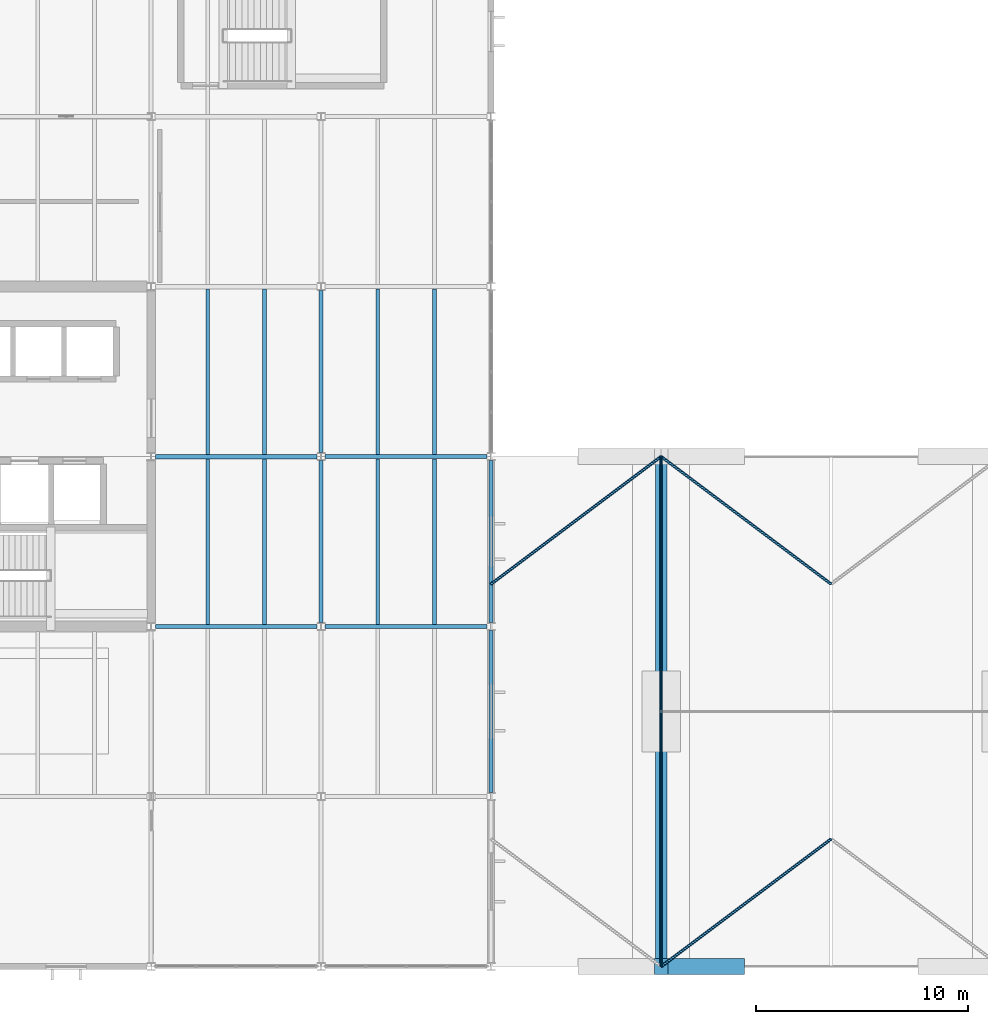
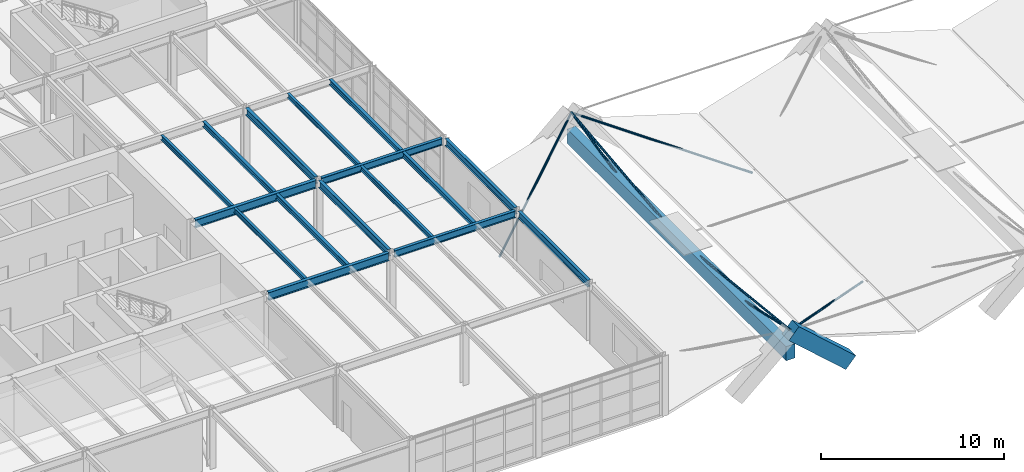
# One storey, part 14 of 50: 17 beams, 8 members.
"""IFC4 building model written with IfcOpenShell, lengths in metres."""

from ifc_helpers import new_model, si_unit, direction, frame, origin, origin_2d, place, context, subcontext, project, spatial, rectangle, hollow_circle, i_section, extrude, material, material_profile, profile_set, type_object, element, save


model = new_model("IFC4")

# Units and contexts
model_context = context("Model", 3, precision=1e-05, world=origin(), true_north=direction((0.0, 1.0)))
body_context = subcontext(model_context, "Body", "Model", "MODEL_VIEW")
ifc_project = project(units=[si_unit("LENGTHUNIT", "METRE"), si_unit("AREAUNIT", "SQUARE_METRE"), si_unit("VOLUMEUNIT", "CUBIC_METRE"), si_unit("PLANEANGLEUNIT", "RADIAN"), si_unit("MASSUNIT", "GRAM", prefix="KILO")], contexts=[model_context])

# Site, building, storey
site_placement = place(None, origin())
site = spatial("IfcSite", under=ifc_project, at=site_placement, CompositionType="ELEMENT")
building_placement = place(site_placement, origin())
building = spatial("IfcBuilding", under=site, at=building_placement, Name="Varnela Railside Interchange", CompositionType="ELEMENT")
storey_placement = place(building_placement, frame((0.0, 0.0, 15.39990234375)))
storey = spatial("IfcBuildingStorey", under=building, at=storey_placement, Name="L03", CompositionType="ELEMENT", Elevation=15.39990234375)

# Beams
ifc_material_1 = material(Name="Concrete C40", Category="concrete")
ifc_material_profile_1 = material_profile(ifc_material_1, rectangle(XDim=0.550048828125, YDim=0.949951171875, at=origin_2d()), Name="RC 550x950")
ifc_profile_set_1 = profile_set([ifc_material_profile_1], Name="Concrete C40")
beam_type_1 = type_object("IfcBeamType", Name="Canopy Ridge Girder B-04", PredefinedType="BEAM", material=ifc_profile_set_1)
beam_placement = place(storey_placement, frame((60.0, 38.0, 1.320068359375), z_axis=(0.0, 1.0, 0.0), x_axis=(-1.0, 0.0, 0.0)))
element("IfcBeam", 1, at=beam_placement, inside=storey, type_object=beam_type_1, Name="Canopy Ridge Girder B-04 (L03) (BM-2342)", PredefinedType="BEAM", context=body_context, shape_type="SweptSolid", body=[
    extrude(rectangle(XDim=0.550048828125, YDim=0.949951171875, at=origin_2d()), origin(), (0.0, 0.0, 1.0), 24.0),
])
ifc_material_2 = material(Name="Steel AR 350 (350 MPa)", Category="steel")
ifc_material_profile_2 = material_profile(ifc_material_2, i_section(OverallWidth=0.1650390625, OverallDepth=0.31005859375, WebThickness=0.005859375, FlangeThickness=0.009765625, at=origin_2d()), Name="W310x38.7")
ifc_profile_set_2 = profile_set([ifc_material_profile_2], Name="Steel AR 350 (350 MPa)")
beam_type_2 = type_object("IfcBeamType", Name="Composite Floor Joist J-04", PredefinedType="JOIST", material=ifc_profile_set_2)
for number, where, z_axis, x_axis, name in (
    (2, (38.669921875, 54.1044921875, 3.84521484375), (0.0, 1.0, 0.0), (-1.0, 0.0, 0.0), "Composite Floor Joist J-04 (L03) (BM-2195)"),
    (3, (38.669921875, 62.1044921875, 3.84521484375), (0.0, 1.0, 0.0), (-1.0, 0.0, 0.0), "Composite Floor Joist J-04 (L03) (BM-2197)"),
    (4, (46.669921875, 54.1044921875, 3.84521484375), (0.0, 1.0, 0.0), (-1.0, 0.0, 0.0), "Composite Floor Joist J-04 (L03) (BM-2206)"),
    (5, (46.669921875, 62.1044921875, 3.84521484375), (0.0, 1.0, 0.0), (-1.0, 0.0, 0.0), "Composite Floor Joist J-04 (L03) (BM-2208)"),
):
    element("IfcBeam", number, at=place(storey_placement, frame(where, z_axis=z_axis, x_axis=x_axis)), inside=storey, type_object=beam_type_2, Name=name, PredefinedType="JOIST", context=body_context, shape_type="SweptSolid", body=[
        extrude(i_section(OverallWidth=0.1650390625, OverallDepth=0.31005859375, WebThickness=0.005859375, FlangeThickness=0.009765625, at=origin_2d()), origin(), (0.0, 0.0, 1.0), 7.791015625),
    ])
ifc_material_profile_3 = material_profile(ifc_material_2, i_section(OverallWidth=0.208984375, OverallDepth=0.532958984375, WebThickness=0.01025390625, FlangeThickness=0.015625, at=origin_2d()), Name="W530x92")
ifc_profile_set_3 = profile_set([ifc_material_profile_3], Name="Steel AR 350 (350 MPa)")
beam_type_3 = type_object("IfcBeamType", Name="Composite Girder B-18", PredefinedType="BEAM", material=ifc_profile_set_3)
for number, where, z_axis, x_axis, name in (
    (6, (36.197021484375, 54.0, 3.733642578125), (1.0, 0.0, 0.0), (0.0, 1.0, 0.0), "Composite Girder B-18 (L03) (BM-2234)"),
    (7, (36.197021484375, 62.0, 3.733642578125), (1.0, 0.0, 0.0), (0.0, 1.0, 0.0), "Composite Girder B-18 (L03) (BM-2240)"),
):
    element("IfcBeam", number, at=place(storey_placement, frame(where, z_axis=z_axis, x_axis=x_axis)), inside=storey, type_object=beam_type_3, Name=name, PredefinedType="BEAM", context=body_context, shape_type="SweptSolid", body=[
        extrude(i_section(OverallWidth=0.208984375, OverallDepth=0.532958984375, WebThickness=0.01025390625, FlangeThickness=0.015625, at=origin_2d()), origin(), (0.0, 0.0, 1.0), 7.616455078125),
    ])
ifc_material_profile_4 = material_profile(ifc_material_2, i_section(OverallWidth=0.202880859375, OverallDepth=0.346923828125, WebThickness=0.0078125, FlangeThickness=0.013427734375, at=origin_2d()), Name="W360x64")
ifc_profile_set_4 = profile_set([ifc_material_profile_4], Name="Steel AR 350 (350 MPa)")
beam_type_4 = type_object("IfcBeamType", Name="Composite Heavy Joist J-01", PredefinedType="JOIST", material=ifc_profile_set_4)
for number, where, z_axis, x_axis, name in (
    (8, (41.330078125, 54.1044921875, 3.82666015625), (0.0, 1.0, 0.0), (-1.0, 0.0, 0.0), "Composite Heavy Joist J-01 (L03) (BM-2196)"),
    (9, (41.330078125, 62.1044921875, 3.82666015625), (0.0, 1.0, 0.0), (-1.0, 0.0, 0.0), "Composite Heavy Joist J-01 (L03) (BM-2198)"),
    (10, (49.330078125, 54.1044921875, 3.82666015625), (0.0, 1.0, 0.0), (-1.0, 0.0, 0.0), "Composite Heavy Joist J-01 (L03) (BM-2207)"),
    (11, (49.330078125, 62.1044921875, 3.82666015625), (0.0, 1.0, 0.0), (-1.0, 0.0, 0.0), "Composite Heavy Joist J-01 (L03) (BM-2209)"),
):
    element("IfcBeam", number, at=place(storey_placement, frame(where, z_axis=z_axis, x_axis=x_axis)), inside=storey, type_object=beam_type_4, Name=name, PredefinedType="JOIST", context=body_context, shape_type="SweptSolid", body=[
        extrude(i_section(OverallWidth=0.202880859375, OverallDepth=0.346923828125, WebThickness=0.0078125, FlangeThickness=0.013427734375, at=origin_2d()), origin(), (0.0, 0.0, 1.0), 7.791015625),
    ])
ifc_material_profile_5 = material_profile(ifc_material_2, i_section(OverallWidth=0.194091796875, OverallDepth=0.468994140625, WebThickness=0.0126953125, FlangeThickness=0.0205078125, at=origin_2d()), Name="W460x106")
ifc_profile_set_5 = profile_set([ifc_material_profile_5], Name="Steel AR 350 (350 MPa)")
beam_type_5 = type_object("IfcBeamType", Name="Composite Primary Beam B-19", PredefinedType="BEAM", material=ifc_profile_set_5)
for number, where, z_axis, x_axis, name in (
    (12, (44.0, 54.18408203125, 3.765625), (0.0, 1.0, 0.0), (-1.0, 0.0, 0.0), "Composite Primary Beam B-19 (L03) (BM-2331)"),
    (13, (44.0, 62.18408203125, 3.765625), (0.0, 1.0, 0.0), (-1.0, 0.0, 0.0), "Composite Primary Beam B-19 (L03) (BM-2332)"),
):
    element("IfcBeam", number, at=place(storey_placement, frame(where, z_axis=z_axis, x_axis=x_axis)), inside=storey, type_object=beam_type_5, Name=name, PredefinedType="BEAM", context=body_context, shape_type="SweptSolid", body=[
        extrude(i_section(OverallWidth=0.194091796875, OverallDepth=0.468994140625, WebThickness=0.0126953125, FlangeThickness=0.0205078125, at=origin_2d()), origin(), (0.0, 0.0, 1.0), 7.6318359375),
    ])

# Members
ifc_material_profile_6 = material_profile(ifc_material_2, hollow_circle(Radius=0.06982421875, WallThickness=0.012451171875, at=origin_2d()), Name="CHS 139.7x12.5")
ifc_profile_set_6 = profile_set([ifc_material_profile_6], Name="Steel AR 350 (350 MPa)")
member_type_1 = type_object("IfcMemberType", Name="Concourse Roof Cable CB-01", PredefinedType="CHORD", material=ifc_profile_set_6)
member_1_placement = place(storey_placement, frame((60.0, 38.0, 2.800048828125), z_axis=(0.0, 0.994182662369, -0.107707167096), x_axis=(-1.0, 0.0, 0.0)))
element("IfcMember", 14, at=member_1_placement, inside=storey, type_object=member_type_1, Name="Concourse Roof Cable CB-01 (L03) (MB-0103)", PredefinedType="CHORD", context=body_context, shape_type="SweptSolid", body=[
    extrude(hollow_circle(Radius=0.06982421875, WallThickness=0.012451171875, at=origin_2d()), origin(), (0.0, 0.0, 1.0), 12.0703125),
])
member_2_placement = place(storey_placement, frame((60.0, 38.0, 2.800048828125), z_axis=(0.761940397697, 0.571455298273, -0.304771508564), x_axis=(-0.6, 0.8, 0.0)))
element("IfcMember", 15, at=member_2_placement, inside=storey, type_object=member_type_1, Name="Concourse Roof Cable CB-01 (L03) (MB-0105)", PredefinedType="CHORD", context=body_context, shape_type="SweptSolid", body=[
    extrude(hollow_circle(Radius=0.06982421875, WallThickness=0.012451171875, at=origin_2d()), origin(), (0.0, 0.0, 1.0), 10.49951171875),
])
member_3_placement = place(storey_placement, frame((60.0, 38.0, 2.800048828125), z_axis=(0.0, 0.977321494017, -0.211760943833), x_axis=(-1.0, 0.0, 0.0)))
element("IfcMember", 16, at=member_3_placement, inside=storey, type_object=member_type_1, Name="Concourse Roof Cable CB-01 (L03) (MB-0106)", PredefinedType="CHORD", context=body_context, shape_type="SweptSolid", body=[
    extrude(hollow_circle(Radius=0.06982421875, WallThickness=0.012451171875, at=origin_2d()), origin(), (0.0, 0.0, 1.0), 6.13916015625),
])
member_4_placement = place(storey_placement, frame((60.0, 62.0, 2.800048828125), z_axis=(0.0, -0.994182662369, -0.107707167096), x_axis=(1.0, 0.0, 0.0)))
element("IfcMember", 17, at=member_4_placement, inside=storey, type_object=member_type_1, Name="Concourse Roof Cable CB-01 (L03) (MB-0099)", PredefinedType="CHORD", context=body_context, shape_type="SweptSolid", body=[
    extrude(hollow_circle(Radius=0.06982421875, WallThickness=0.012451171875, at=origin_2d()), origin(), (0.0, 0.0, 1.0), 12.0703125),
])
for number, where, z_axis, x_axis, name in (
    (18, (60.0, 62.0, 2.800048828125), (-0.761940397697, -0.571455298273, -0.304771508564), (0.6, -0.8, 0.0), "Concourse Roof Cable CB-01 (L03) (MB-0100)"),
    (19, (60.0, 62.0, 2.800048828125), (0.761940397697, -0.571455298273, -0.304771508564), (0.6, 0.8, 0.0), "Concourse Roof Cable CB-01 (L03) (MB-0101)"),
):
    element("IfcMember", number, at=place(storey_placement, frame(where, z_axis=z_axis, x_axis=x_axis)), inside=storey, type_object=member_type_1, Name=name, PredefinedType="CHORD", context=body_context, shape_type="SweptSolid", body=[
        extrude(hollow_circle(Radius=0.06982421875, WallThickness=0.012451171875, at=origin_2d()), origin(), (0.0, 0.0, 1.0), 10.49951171875),
    ])
member_5_placement = place(storey_placement, frame((60.0, 62.0, 2.800048828125), z_axis=(0.0, -0.977321494017, -0.211760943833), x_axis=(1.0, 0.0, 0.0)))
element("IfcMember", 20, at=member_5_placement, inside=storey, type_object=member_type_1, Name="Concourse Roof Cable CB-01 (L03) (MB-0102)", PredefinedType="CHORD", context=body_context, shape_type="SweptSolid", body=[
    extrude(hollow_circle(Radius=0.06982421875, WallThickness=0.012451171875, at=origin_2d()), origin(), (0.0, 0.0, 1.0), 6.13916015625),
])
ifc_material_3 = material(Name="Concrete C50", Category="concrete")
ifc_material_profile_7 = material_profile(ifc_material_3, rectangle(XDim=0.75, YDim=0.949951171875, at=origin_2d()), Name="RC 750x950")
ifc_profile_set_7 = profile_set([ifc_material_profile_7], Name="Concrete C50")
member_type_2 = type_object("IfcMemberType", Name="Sculpted Concourse A-Frame Mast Strut MS-01", PredefinedType="STRUT", material=ifc_profile_set_7)
member_6_placement = place(storey_placement, frame((63.60009765625, 38.0, -0.39990234375), z_axis=(-0.747423301004, 0.0, 0.664348108386), x_axis=(0.0, -1.0, 0.0)))
element("IfcMember", 21, at=member_6_placement, inside=storey, type_object=member_type_2, Name="Sculpted Concourse A-Frame Mast Strut MS-01 (L03) (MB-0149)", PredefinedType="STRUT", context=body_context, shape_type="SweptSolid", body=[
    extrude(rectangle(XDim=0.75, YDim=0.949951171875, at=origin_2d()), origin(), (0.0, 0.0, 1.0), 4.816650390625),
])

# Beams
ifc_material_profile_8 = material_profile(ifc_material_2, i_section(OverallWidth=0.19091796875, OverallDepth=0.4599609375, WebThickness=0.010009765625, FlangeThickness=0.01611328125, at=origin_2d()), Name="W460x82")
ifc_profile_set_8 = profile_set([ifc_material_profile_8], Name="Steel AR 350 (350 MPa)")
beam_type_6 = type_object("IfcBeamType", Name="Steel Perimeter Spandrel SP-01", PredefinedType="SPANDREL", material=ifc_profile_set_8)
for number, where, z_axis, x_axis, name in (
    (22, (44.1865234375, 54.0, 3.77001953125), (1.0, 0.0, 0.0), (0.0, 1.0, 0.0), "Steel Perimeter Spandrel SP-01 (L03) (BM-2235)"),
    (23, (44.1865234375, 62.0, 3.77001953125), (1.0, 0.0, 0.0), (0.0, 1.0, 0.0), "Steel Perimeter Spandrel SP-01 (L03) (BM-2241)"),
):
    element("IfcBeam", number, at=place(storey_placement, frame(where, z_axis=z_axis, x_axis=x_axis)), inside=storey, type_object=beam_type_6, Name=name, PredefinedType="SPANDREL", context=body_context, shape_type="SweptSolid", body=[
        extrude(i_section(OverallWidth=0.19091796875, OverallDepth=0.4599609375, WebThickness=0.010009765625, FlangeThickness=0.01611328125, at=origin_2d()), origin(), (0.0, 0.0, 1.0), 7.626953125),
    ])
for number, where, z_axis, x_axis, name in (
    (24, (52.0, 46.18408203125, 3.77001953125), (0.0, 1.0, 0.0), (-1.0, 0.0, 0.0), "Steel Perimeter Spandrel SP-01 (L03) (BM-2336)"),
    (25, (52.0, 54.18408203125, 3.77001953125), (0.0, 1.0, 0.0), (-1.0, 0.0, 0.0), "Steel Perimeter Spandrel SP-01 (L03) (BM-2337)"),
):
    element("IfcBeam", number, at=place(storey_placement, frame(where, z_axis=z_axis, x_axis=x_axis)), inside=storey, type_object=beam_type_6, Name=name, PredefinedType="SPANDREL", context=body_context, shape_type="SweptSolid", body=[
        extrude(i_section(OverallWidth=0.19091796875, OverallDepth=0.4599609375, WebThickness=0.010009765625, FlangeThickness=0.01611328125, at=origin_2d()), origin(), (0.0, 0.0, 1.0), 7.6318359375),
    ])

save(model, "model.ifc")
